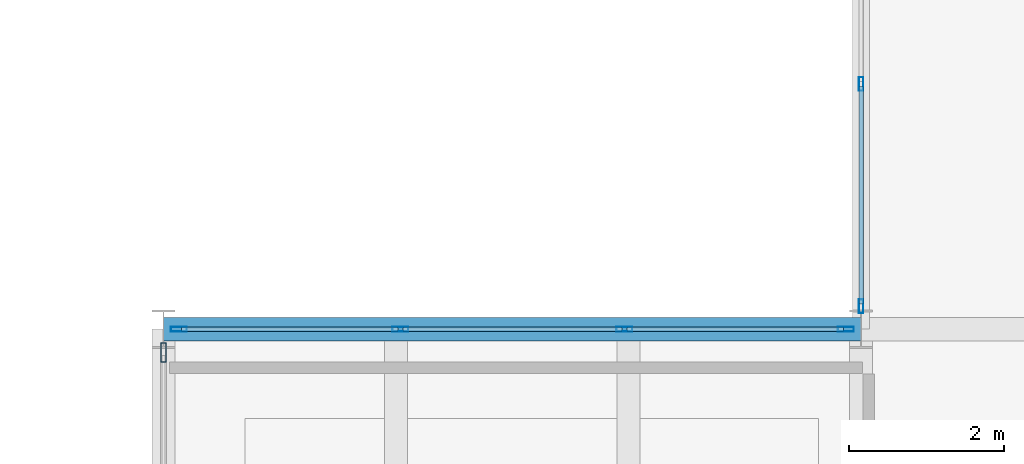
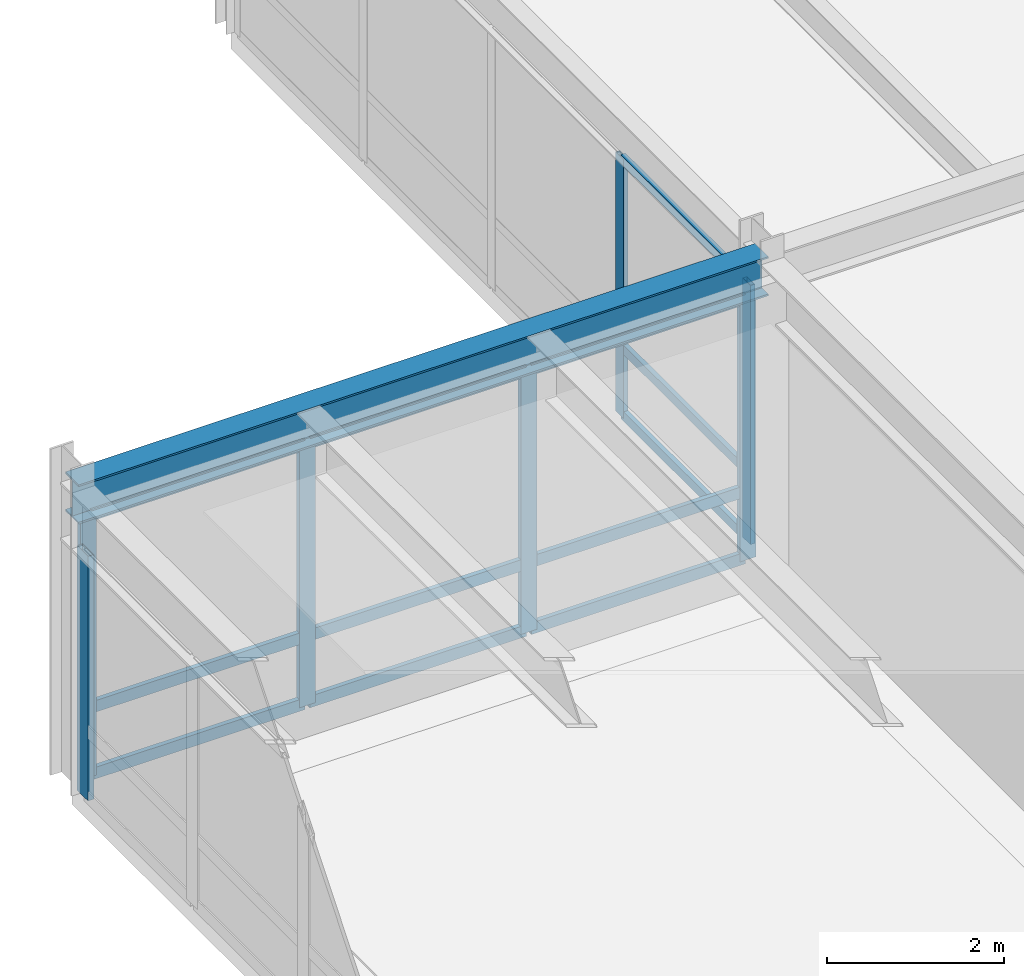
# One storey, part 56 of 127: 19 members, 1 beam, 3 elements without a shape of their own.
"""IFC4 building model written with IfcOpenShell, lengths in metres."""

from ifc_helpers import new_model, si_unit, direction, frame, origin, origin_2d, place, context, subcontext, project, spatial, hollow_rectangle, i_section, extrude, material, layer, layer_set, material_profile, profile_set, type_object, element, aggregate, save


model = new_model("IFC4")

# Units and contexts
model_context = context("Model", 3, precision=1e-05, world=origin(), true_north=direction((0.0, 1.0)))
body_context = subcontext(model_context, "Body", "Model", "MODEL_VIEW")
ifc_project = project(units=[si_unit("LENGTHUNIT", "METRE"), si_unit("AREAUNIT", "SQUARE_METRE"), si_unit("VOLUMEUNIT", "CUBIC_METRE"), si_unit("PLANEANGLEUNIT", "RADIAN"), si_unit("MASSUNIT", "GRAM", prefix="KILO")], contexts=[model_context])

# Site, building, storey
site_placement = place(None, origin())
site = spatial("IfcSite", under=ifc_project, at=site_placement, CompositionType="ELEMENT")
building_placement = place(site_placement, origin())
building = spatial("IfcBuilding", under=site, at=building_placement, Name="Montelvaro Courts of Justice", CompositionType="ELEMENT")
storey_placement = place(building_placement, frame((0.0, 0.0, 5.39990234375)))
storey = spatial("IfcBuildingStorey", under=building, at=storey_placement, Name="L01", CompositionType="ELEMENT", Elevation=5.39990234375)

# Beam
ifc_material_1 = material(Name="Steel S355", Category="steel")
ifc_material_profile_1 = material_profile(ifc_material_1, i_section(OverallWidth=0.300048828125, OverallDepth=0.5400390625, WebThickness=0.012451171875, FlangeThickness=0.02392578125, at=origin_2d()), Name="HEA 550")
ifc_profile_set_1 = profile_set([ifc_material_profile_1], Name="Steel S355")
beam_type = type_object("IfcBeamType", Name="Beam_HEA550", PredefinedType="USERDEFINED", material=ifc_profile_set_1)
beam_placement = place(storey_placement, frame((18.0, 96.0, 3.91015625), z_axis=(1.0, 0.0, 0.0), x_axis=(0.0, 1.0, 0.0)))
element("IfcBeam", 1, at=beam_placement, inside=storey, type_object=beam_type, Name="Beam B-20 L01", ObjectType="GIRDER", PredefinedType="USERDEFINED", context=body_context, shape_type="SweptSolid", body=[
    extrude(i_section(OverallWidth=0.300048828125, OverallDepth=0.5400390625, WebThickness=0.012451171875, FlangeThickness=0.02392578125, at=origin_2d()), origin(), (0.0, 0.0, 1.0), 9.0),
])

# Curtain wall, members
ifc_material_2 = material(Name="Anodised aluminium EN AW-6063", Category="aluminium")
ifc_layer_1 = layer(ifc_material_2, 0.159912109375)
ifc_layer_set_1 = layer_set([ifc_layer_1], Name="Anodised aluminium EN AW-6063")
curtain_wall_type_1 = type_object("IfcCurtainWallType", Name="CurtainWall_19_1159x418", PredefinedType="USERDEFINED", material=ifc_layer_set_1)
curtain_wall_1_placement = place(storey_placement, origin())
curtain_wall_1 = element("IfcCurtainWall", 2, at=curtain_wall_1_placement, inside=storey, type_object=curtain_wall_type_1, Name="Curtain Wall CW-19 (L01)", ObjectType="CURTAIN WALL", PredefinedType="USERDEFINED")
ifc_material_profile_2 = material_profile(ifc_material_2, hollow_rectangle(XDim=0.06005859375, YDim=0.179931640625, WallThickness=0.00439453125, at=origin_2d()), Name="ALU-M 60x180")
ifc_profile_set_2 = profile_set([ifc_material_profile_2], Name="Anodised aluminium EN AW-6063")
member_type_1 = type_object("IfcMemberType", Name="CurtainWall_Mullion_60x180", PredefinedType="MULLION", material=ifc_profile_set_2)
member_1_placement = place(storey_placement, frame((27.0, 99.16259765625, 0.0), z_axis=(0.0, 0.0, 1.0), x_axis=(1.0, 0.0, 0.0)))
member_1 = element("IfcMember", 3, at=member_1_placement, type_object=member_type_1, Name="CW-19 mullion 4", PredefinedType="MULLION", context=body_context, shape_type="SweptSolid", body=[
    extrude(hollow_rectangle(XDim=0.06005859375, YDim=0.179931640625, WallThickness=0.00439453125, at=origin_2d()), origin(), (0.0, 0.0, 1.0), 3.5751953125),
])
member_2_placement = place(storey_placement, frame((27.0, 96.294921875, 0.0), z_axis=(0.0, 0.0, 1.0), x_axis=(1.0, 0.0, 0.0)))
member_2 = element("IfcMember", 4, at=member_2_placement, type_object=member_type_1, Name="CW-19 mullion 5", PredefinedType="MULLION", context=body_context, shape_type="SweptSolid", body=[
    extrude(hollow_rectangle(XDim=0.06005859375, YDim=0.179931640625, WallThickness=0.00439453125, at=origin_2d()), origin(), (0.0, 0.0, 1.0), 3.5751953125),
])

ifc_layer_2 = layer(ifc_material_2, 0.159912109375)
ifc_layer_set_2 = layer_set([ifc_layer_2], Name="Anodised aluminium EN AW-6063")
curtain_wall_type_2 = type_object("IfcCurtainWallType", Name="CurtainWall_14_867x418", PredefinedType="USERDEFINED", material=ifc_layer_set_2)
curtain_wall_2_placement = place(storey_placement, origin())
curtain_wall_2 = element("IfcCurtainWall", 5, at=curtain_wall_2_placement, inside=storey, type_object=curtain_wall_type_2, Name="Curtain Wall CW-14 (L01)", ObjectType="CURTAIN WALL", PredefinedType="USERDEFINED")
ifc_material_profile_3 = material_profile(ifc_material_2, hollow_rectangle(XDim=0.06494140625, YDim=0.2099609375, WallThickness=0.0048828125, at=origin_2d()), Name="ALU-M 65x210")
ifc_profile_set_3 = profile_set([ifc_material_profile_3], Name="Anodised aluminium EN AW-6063")
member_type_2 = type_object("IfcMemberType", Name="CurtainWall_Mullion_65x210", PredefinedType="MULLION", material=ifc_profile_set_3)
member_3_placement = place(storey_placement, frame((26.802490234375, 96.0, 0.0), z_axis=(0.0, 0.0, 1.0), x_axis=(0.0, -1.0, 0.0)))
member_3 = element("IfcMember", 6, at=member_3_placement, type_object=member_type_2, Name="CW-14 mullion 1", PredefinedType="MULLION", context=body_context, shape_type="SweptSolid", body=[
    extrude(hollow_rectangle(XDim=0.06494140625, YDim=0.2099609375, WallThickness=0.0048828125, at=origin_2d()), origin(), (0.0, 0.0, 1.0), 3.635009765625),
])
member_4_placement = place(storey_placement, frame((23.945068359375, 96.0, 0.0), z_axis=(0.0, 0.0, 1.0), x_axis=(0.0, -1.0, 0.0)))
member_4 = element("IfcMember", 7, at=member_4_placement, type_object=member_type_2, Name="CW-14 mullion 2", PredefinedType="MULLION", context=body_context, shape_type="SweptSolid", body=[
    extrude(hollow_rectangle(XDim=0.06494140625, YDim=0.2099609375, WallThickness=0.0048828125, at=origin_2d()), origin(), (0.0, 0.0, 1.0), 3.635009765625),
])
member_5_placement = place(storey_placement, frame((21.054931640625, 96.0, 0.0), z_axis=(0.0, 0.0, 1.0), x_axis=(0.0, -1.0, 0.0)))
member_5 = element("IfcMember", 8, at=member_5_placement, type_object=member_type_2, Name="CW-14 mullion 3", PredefinedType="MULLION", context=body_context, shape_type="SweptSolid", body=[
    extrude(hollow_rectangle(XDim=0.06494140625, YDim=0.2099609375, WallThickness=0.0048828125, at=origin_2d()), origin(), (0.0, 0.0, 1.0), 3.635009765625),
])
member_6_placement = place(storey_placement, frame((18.197509765625, 96.0, 0.0), z_axis=(0.0, 0.0, 1.0), x_axis=(0.0, -1.0, 0.0)))
member_6 = element("IfcMember", 9, at=member_6_placement, type_object=member_type_2, Name="CW-14 mullion 4", PredefinedType="MULLION", context=body_context, shape_type="SweptSolid", body=[
    extrude(hollow_rectangle(XDim=0.06494140625, YDim=0.2099609375, WallThickness=0.0048828125, at=origin_2d()), origin(), (0.0, 0.0, 1.0), 3.635009765625),
])

# Curtain wall, member
ifc_layer_3 = layer(ifc_material_2, 0.159912109375)
ifc_layer_set_3 = layer_set([ifc_layer_3], Name="Anodised aluminium EN AW-6063")
curtain_wall_type_3 = type_object("IfcCurtainWallType", Name="CurtainWall_20_1757x418", PredefinedType="USERDEFINED", material=ifc_layer_set_3)
curtain_wall_3_placement = place(storey_placement, origin())
curtain_wall_3 = element("IfcCurtainWall", 10, at=curtain_wall_3_placement, inside=storey, type_object=curtain_wall_type_3, Name="Curtain Wall CW-20 (L01)", ObjectType="CURTAIN WALL", PredefinedType="USERDEFINED")
ifc_material_profile_4 = material_profile(ifc_material_2, hollow_rectangle(XDim=0.074951171875, YDim=0.25, WallThickness=0.005615234375, at=origin_2d()), Name="ALU-M 75x250")
ifc_profile_set_4 = profile_set([ifc_material_profile_4], Name="Anodised aluminium EN AW-6063")
member_type_3 = type_object("IfcMemberType", Name="CurtainWall_Mullion_75x250", PredefinedType="MULLION", material=ifc_profile_set_4)
member_7_placement = place(storey_placement, frame((18.0, 95.697509765625, 0.0), z_axis=(0.0, 0.0, 1.0), x_axis=(1.0, 0.0, 0.0)))
member_7 = element("IfcMember", 11, at=member_7_placement, type_object=member_type_3, Name="CW-20 mullion 1", PredefinedType="MULLION", context=body_context, shape_type="SweptSolid", body=[
    extrude(hollow_rectangle(XDim=0.074951171875, YDim=0.25, WallThickness=0.005615234375, at=origin_2d()), origin(), (0.0, 0.0, 1.0), 3.375),
])
aggregate(curtain_wall_3, [member_7])

# Member
ifc_material_profile_5 = material_profile(ifc_material_2, hollow_rectangle(XDim=0.06005859375, YDim=0.1298828125, WallThickness=0.00390625, at=origin_2d()), Name="ALU-T 60x130")
ifc_profile_set_5 = profile_set([ifc_material_profile_5], Name="Anodised aluminium EN AW-6063")
member_type_4 = type_object("IfcMemberType", Name="CurtainWall_Transom_60x130", PredefinedType="USERDEFINED", material=ifc_profile_set_5)
member_8_placement = place(storey_placement, frame((27.0, 99.132568359375, 0.030029296875), z_axis=(0.0, -1.0, 0.0), x_axis=(1.0, 0.0, 0.0)))
member_8 = element("IfcMember", 12, at=member_8_placement, type_object=member_type_4, Name="CW-19 transom 4.1", ObjectType="TRANSOM", PredefinedType="USERDEFINED", context=body_context, shape_type="SweptSolid", body=[
    extrude(hollow_rectangle(XDim=0.06005859375, YDim=0.1298828125, WallThickness=0.00390625, at=origin_2d()), origin(), (0.0, 0.0, 1.0), 2.8076171875),
])

member_9_placement = place(storey_placement, frame((27.0, 99.132568359375, 0.9501953125), z_axis=(0.0, -1.0, 0.0), x_axis=(1.0, 0.0, 0.0)))
member_9 = element("IfcMember", 13, at=member_9_placement, type_object=member_type_4, Name="CW-19 transom 4.2", ObjectType="TRANSOM", PredefinedType="USERDEFINED", context=body_context, shape_type="SweptSolid", body=[
    extrude(hollow_rectangle(XDim=0.06005859375, YDim=0.1298828125, WallThickness=0.00390625, at=origin_2d()), origin(), (0.0, 0.0, 1.0), 2.8076171875),
])

member_10_placement = place(storey_placement, frame((27.0, 99.132568359375, 3.545166015625), z_axis=(0.0, -1.0, 0.0), x_axis=(1.0, 0.0, 0.0)))
member_10 = element("IfcMember", 14, at=member_10_placement, type_object=member_type_4, Name="CW-19 transom 4.3", ObjectType="TRANSOM", PredefinedType="USERDEFINED", context=body_context, shape_type="SweptSolid", body=[
    extrude(hollow_rectangle(XDim=0.06005859375, YDim=0.1298828125, WallThickness=0.00390625, at=origin_2d()), origin(), (0.0, 0.0, 1.0), 2.8076171875),
])

aggregate(curtain_wall_1, [member_1, member_2, member_8, member_9, member_10])

ifc_material_profile_6 = material_profile(ifc_material_2, hollow_rectangle(XDim=0.06005859375, YDim=0.159912109375, WallThickness=0.00439453125, at=origin_2d()), Name="ALU-T 60x160")
ifc_profile_set_6 = profile_set([ifc_material_profile_6], Name="Anodised aluminium EN AW-6063")
member_type_5 = type_object("IfcMemberType", Name="CurtainWall_Transom_60x160", PredefinedType="USERDEFINED", material=ifc_profile_set_6)
member_11_placement = place(storey_placement, frame((26.77001953125, 96.0, 0.030029296875), z_axis=(-1.0, 0.0, 0.0), x_axis=(0.0, -1.0, 0.0)))
member_11 = element("IfcMember", 15, at=member_11_placement, type_object=member_type_5, Name="CW-14 transom 1.1", ObjectType="TRANSOM", PredefinedType="USERDEFINED", context=body_context, shape_type="SweptSolid", body=[
    extrude(hollow_rectangle(XDim=0.06005859375, YDim=0.159912109375, WallThickness=0.00439453125, at=origin_2d()), origin(), (0.0, 0.0, 1.0), 2.79248046875),
])

member_12_placement = place(storey_placement, frame((26.77001953125, 96.0, 0.9501953125), z_axis=(-1.0, 0.0, 0.0), x_axis=(0.0, -1.0, 0.0)))
member_12 = element("IfcMember", 16, at=member_12_placement, type_object=member_type_5, Name="CW-14 transom 1.2", ObjectType="TRANSOM", PredefinedType="USERDEFINED", context=body_context, shape_type="SweptSolid", body=[
    extrude(hollow_rectangle(XDim=0.06005859375, YDim=0.159912109375, WallThickness=0.00439453125, at=origin_2d()), origin(), (0.0, 0.0, 1.0), 2.79248046875),
])

member_13_placement = place(storey_placement, frame((26.77001953125, 96.0, 3.60498046875), z_axis=(-1.0, 0.0, 0.0), x_axis=(0.0, -1.0, 0.0)))
member_13 = element("IfcMember", 17, at=member_13_placement, type_object=member_type_5, Name="CW-14 transom 1.3", ObjectType="TRANSOM", PredefinedType="USERDEFINED", context=body_context, shape_type="SweptSolid", body=[
    extrude(hollow_rectangle(XDim=0.06005859375, YDim=0.159912109375, WallThickness=0.00439453125, at=origin_2d()), origin(), (0.0, 0.0, 1.0), 2.79248046875),
])

member_14_placement = place(storey_placement, frame((23.91259765625, 96.0, 0.030029296875), z_axis=(-1.0, 0.0, 0.0), x_axis=(0.0, -1.0, 0.0)))
member_14 = element("IfcMember", 18, at=member_14_placement, type_object=member_type_5, Name="CW-14 transom 2.1", ObjectType="TRANSOM", PredefinedType="USERDEFINED", context=body_context, shape_type="SweptSolid", body=[
    extrude(hollow_rectangle(XDim=0.06005859375, YDim=0.159912109375, WallThickness=0.00439453125, at=origin_2d()), origin(), (0.0, 0.0, 1.0), 2.8251953125),
])

member_15_placement = place(storey_placement, frame((23.91259765625, 96.0, 0.9501953125), z_axis=(-1.0, 0.0, 0.0), x_axis=(0.0, -1.0, 0.0)))
member_15 = element("IfcMember", 19, at=member_15_placement, type_object=member_type_5, Name="CW-14 transom 2.2", ObjectType="TRANSOM", PredefinedType="USERDEFINED", context=body_context, shape_type="SweptSolid", body=[
    extrude(hollow_rectangle(XDim=0.06005859375, YDim=0.159912109375, WallThickness=0.00439453125, at=origin_2d()), origin(), (0.0, 0.0, 1.0), 2.8251953125),
])

member_16_placement = place(storey_placement, frame((23.91259765625, 96.0, 3.60498046875), z_axis=(-1.0, 0.0, 0.0), x_axis=(0.0, -1.0, 0.0)))
member_16 = element("IfcMember", 20, at=member_16_placement, type_object=member_type_5, Name="CW-14 transom 2.3", ObjectType="TRANSOM", PredefinedType="USERDEFINED", context=body_context, shape_type="SweptSolid", body=[
    extrude(hollow_rectangle(XDim=0.06005859375, YDim=0.159912109375, WallThickness=0.00439453125, at=origin_2d()), origin(), (0.0, 0.0, 1.0), 2.8251953125),
])

member_17_placement = place(storey_placement, frame((21.0224609375, 96.0, 0.030029296875), z_axis=(-1.0, 0.0, 0.0), x_axis=(0.0, -1.0, 0.0)))
member_17 = element("IfcMember", 21, at=member_17_placement, type_object=member_type_5, Name="CW-14 transom 3.1", ObjectType="TRANSOM", PredefinedType="USERDEFINED", context=body_context, shape_type="SweptSolid", body=[
    extrude(hollow_rectangle(XDim=0.06005859375, YDim=0.159912109375, WallThickness=0.00439453125, at=origin_2d()), origin(), (0.0, 0.0, 1.0), 2.79248046875),
])

member_18_placement = place(storey_placement, frame((21.0224609375, 96.0, 0.9501953125), z_axis=(-1.0, 0.0, 0.0), x_axis=(0.0, -1.0, 0.0)))
member_18 = element("IfcMember", 22, at=member_18_placement, type_object=member_type_5, Name="CW-14 transom 3.2", ObjectType="TRANSOM", PredefinedType="USERDEFINED", context=body_context, shape_type="SweptSolid", body=[
    extrude(hollow_rectangle(XDim=0.06005859375, YDim=0.159912109375, WallThickness=0.00439453125, at=origin_2d()), origin(), (0.0, 0.0, 1.0), 2.79248046875),
])

member_19_placement = place(storey_placement, frame((21.0224609375, 96.0, 3.60498046875), z_axis=(-1.0, 0.0, 0.0), x_axis=(0.0, -1.0, 0.0)))
member_19 = element("IfcMember", 23, at=member_19_placement, type_object=member_type_5, Name="CW-14 transom 3.3", ObjectType="TRANSOM", PredefinedType="USERDEFINED", context=body_context, shape_type="SweptSolid", body=[
    extrude(hollow_rectangle(XDim=0.06005859375, YDim=0.159912109375, WallThickness=0.00439453125, at=origin_2d()), origin(), (0.0, 0.0, 1.0), 2.79248046875),
])

aggregate(curtain_wall_2, [member_3, member_4, member_5, member_6, member_11, member_12, member_13, member_14, member_15, member_16, member_17, member_18, member_19])

save(model, "model.ifc")
